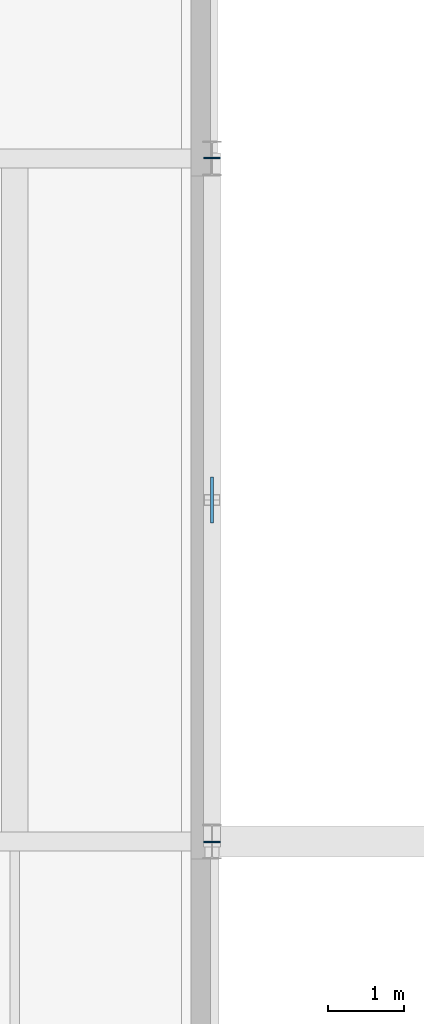
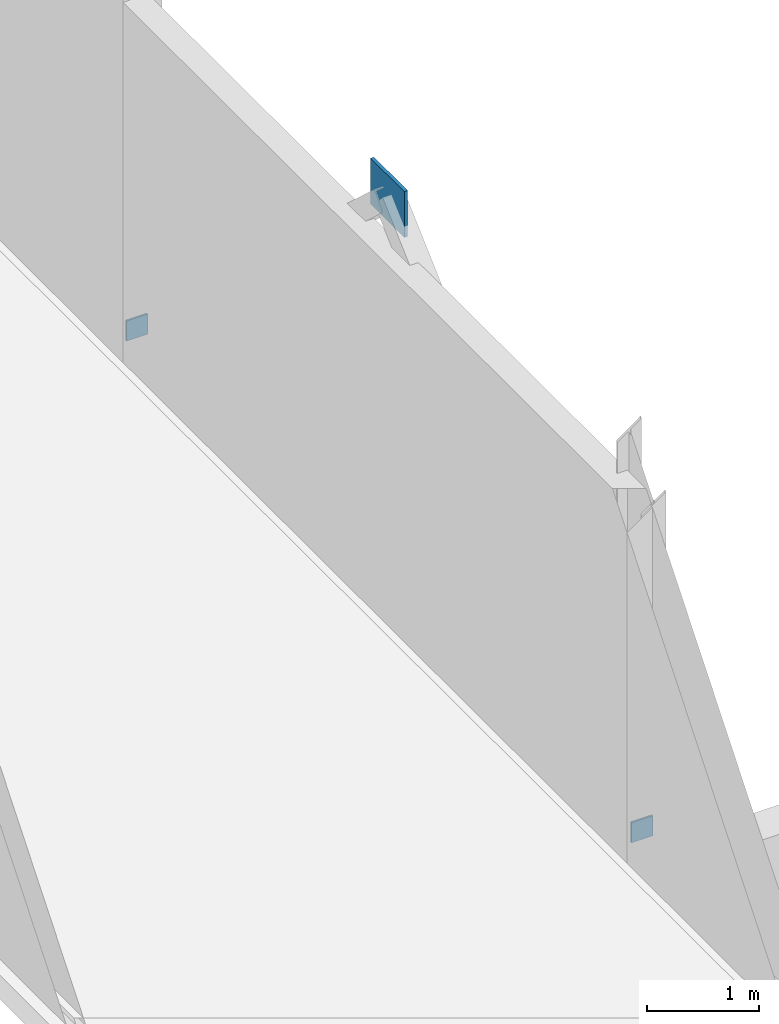
# One storey, part 81 of 100: 3 plates.
"""IFC4 building model written with IfcOpenShell, lengths in metres."""

from ifc_helpers import new_model, si_unit, derived_unit, direction, frame, origin, origin_2d, place, context, subcontext, project, spatial, rectangle, extrude, material, layer, layer_set, type_object, element, save


model = new_model("IFC4")

# Units and contexts
model_context = context("Model", 3, precision=1e-05, world=origin(), true_north=direction((0.0, 1.0)))
body_context = subcontext(model_context, "Body", "Model", "MODEL_VIEW")
ifc_project = project(units=[si_unit("LENGTHUNIT", "METRE"), si_unit("AREAUNIT", "SQUARE_METRE"), si_unit("VOLUMEUNIT", "CUBIC_METRE"), si_unit("PLANEANGLEUNIT", "RADIAN"), si_unit("MASSUNIT", "GRAM", prefix="KILO"), derived_unit("THERMALTRANSMITTANCEUNIT", [(si_unit("POWERUNIT", "WATT"), 1), (si_unit("LENGTHUNIT", "METRE"), -2), (si_unit("THERMODYNAMICTEMPERATUREUNIT", "KELVIN"), -1)])], contexts=[model_context])

# Site, building, storey
site_placement = place(None, origin())
site = spatial("IfcSite", under=ifc_project, at=site_placement, CompositionType="ELEMENT")
building_placement = place(site_placement, origin())
building = spatial("IfcBuilding", under=site, at=building_placement, Name="Nallur Shell Playhouse", CompositionType="ELEMENT")
storey_placement = place(building_placement, frame((0.0, 0.0, 10.199951171875)))
storey = spatial("IfcBuildingStorey", under=building, at=storey_placement, Name="L03", CompositionType="ELEMENT", Elevation=10.199951171875)

# Plates
ifc_material = material(Name="Steel E350", Category="steel")
ifc_layer_1 = layer(ifc_material, 0.02001953125)
ifc_layer_set_1 = layer_set([ifc_layer_1], Name="Steel E350")
plate_type_1 = type_object("IfcPlateType", Name="PT-ENDCAP-20", PredefinedType="SHEET", material=ifc_layer_set_1)
for number, where, z_axis, x_axis, name in (
    (1, (103.0, 55.99267578125, 0.033203125), (0.0, 0.0, 1.0), (1.0, 0.0, 0.0), "Hollow end cap EC-BR-FT-L03-019-0"),
    (2, (103.0, 65.00732421875, 0.033203125), (0.0, 0.0, 1.0), (1.0, 0.0, 0.0), "Hollow end cap EC-BR-FT-L03-020-0"),
):
    element("IfcPlate", number, at=place(storey_placement, frame(where, z_axis=z_axis, x_axis=x_axis)), inside=storey, type_object=plate_type_1, Name=name, PredefinedType="SHEET", context=body_context, shape_type="SweptSolid", body=[
        extrude(rectangle(XDim=0.219970703125, YDim=0.02001953125, at=origin_2d()), origin(), (0.0, 0.0, 1.0), 0.219970703125),
    ])
ifc_layer_2 = layer(ifc_material, 0.034912109375)
ifc_layer_set_2 = layer_set([ifc_layer_2], Name="Steel E350")
plate_type_2 = type_object("IfcPlateType", Name="PT-GUSSET-35", PredefinedType="USERDEFINED", material=ifc_layer_set_2)
plate_placement = place(storey_placement, frame((103.0, 60.5, 4.0400390625), z_axis=(0.0, 0.0, 1.0), x_axis=(1.0, 0.0, 0.0)))
element("IfcPlate", 3, at=plate_placement, inside=storey, type_object=plate_type_2, Name="Fly tower chevron node gusset plate TN-02 (L03)", ObjectType="GUSSET PLATE", PredefinedType="USERDEFINED", context=body_context, shape_type="SweptSolid", body=[
    extrude(rectangle(XDim=0.034912109375, YDim=0.60009765625, at=origin_2d()), origin(), (0.0, 0.0, 1.0), 0.5),
])

save(model, "model.ifc")
